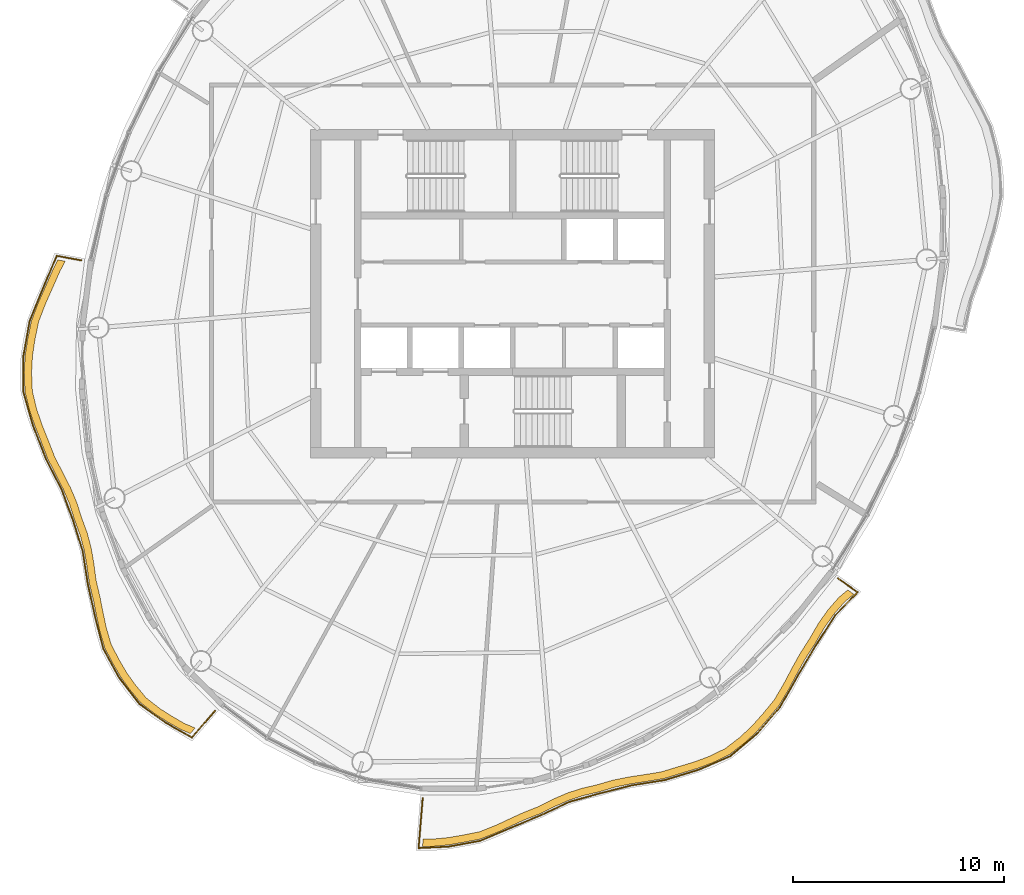
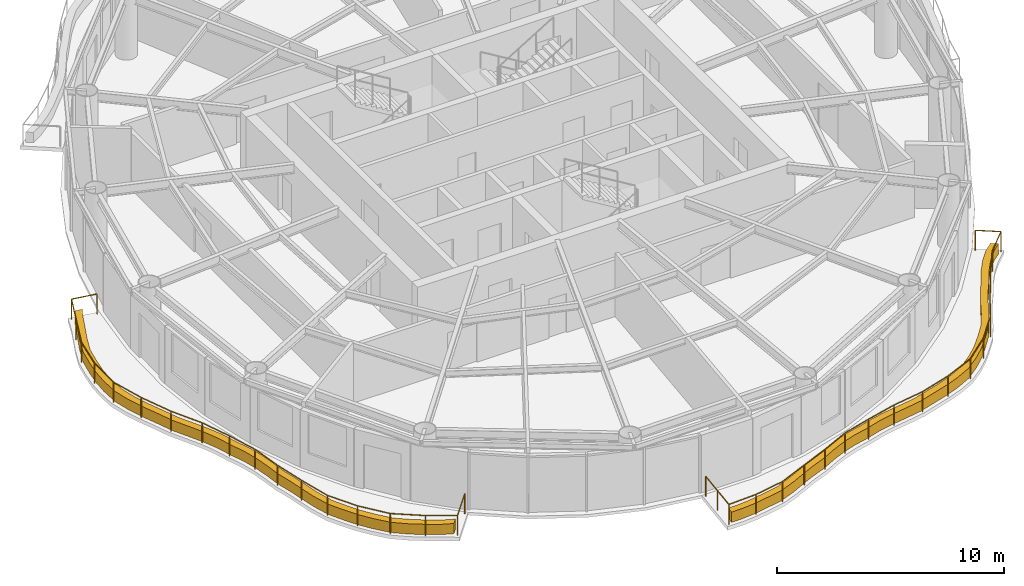
# One storey, part 11 of 13: 2 coverings, 2 railings.
"""IFC4 building model written with IfcOpenShell, lengths in metres."""

from ifc_helpers import new_model, si_unit, direction, frame, origin, origin_2d, place, context, subcontext, project, spatial, polyline, circle, outline, extrude, material, type_object, element, save


model = new_model("IFC4")

# Units and contexts
model_context = context("Model", 3, precision=1e-05, world=origin(), true_north=direction((0.0, 1.0)))
body_context = subcontext(model_context, "Body", "Model", "MODEL_VIEW")
ifc_project = project(units=[si_unit("LENGTHUNIT", "METRE"), si_unit("AREAUNIT", "SQUARE_METRE"), si_unit("VOLUMEUNIT", "CUBIC_METRE"), si_unit("PLANEANGLEUNIT", "RADIAN"), si_unit("MASSUNIT", "GRAM", prefix="KILO")], contexts=[model_context])

# Site, building, storey
site_placement = place(None, origin())
site = spatial("IfcSite", under=ifc_project, at=site_placement, CompositionType="ELEMENT")
building_placement = place(site_placement, origin())
building = spatial("IfcBuilding", under=site, at=building_placement, Name="Vermilion Reach Broadcast Tower", CompositionType="ELEMENT")
storey_placement = place(building_placement, frame((0.0, 0.0, 300.89990234375)))
storey = spatial("IfcBuildingStorey", under=building, at=storey_placement, Name="L75", CompositionType="ELEMENT", Elevation=300.89990234375)

# Coverings
ifc_material_1 = material(Name="Planting soil and greenery")
covering_type = type_object("IfcCoveringType", Name="Balcony PLANTER", PredefinedType="USERDEFINED", material=ifc_material_1)
placement = place(storey_placement, origin())
element("IfcCovering", 1, at=placement, inside=storey, type_object=covering_type, Name="PLANTER L75 group 2", ObjectType="PLANTER", PredefinedType="USERDEFINED", context=body_context, shape_type="SweptSolid", body=[
    extrude(outline(polyline([(-27.597412109375, 1.59814453125), (-27.86279296875, 1.0712890625), (-28.19140625, 0.320068359375), (-28.527099609375, -0.430419921875), (-28.858154296875, -1.303466796875), (-29.03955078125, -2.196533203125), (-29.156005859375, -2.96923828125), (-29.196533203125, -3.7431640625), (-29.160400390625, -4.65869140625), (-28.94873046875, -5.540771484375), (-28.6943359375, -6.277587890625), (-28.40185546875, -7.01025390625), (-28.08447265625, -7.842041015625), (-27.685546875, -8.615234375), (-27.341064453125, -9.296630859375), (-27.04638671875, -9.989501953125), (-26.7998046875, -10.76318359375), (-26.528564453125, -11.50537109375), (-26.344970703125, -12.207763671875), (-26.21875, -12.93115234375), (-26.10400390625, -13.762939453125), (-25.90771484375, -14.56640625), (-25.766357421875, -15.288330078125), (-25.61572265625, -16.00537109375), (-25.364501953125, -16.849853515625), (-24.96630859375, -17.60693359375), (-24.618408203125, -18.203369140625), (-24.221435546875, -18.763671875), (-23.669189453125, -19.431884765625), (-22.994140625, -19.96142578125), (-22.412841796875, -20.33203125), (-21.807861328125, -20.679443359375), (-21.307373046875, -20.898193359375), (-21.078125, -20.633544921875), (-21.55908203125, -20.433349609375), (-22.1640625, -20.0859375), (-22.745361328125, -19.71533203125), (-23.402587890625, -19.204833984375), (-23.938720703125, -18.55712890625), (-24.3359375, -17.996826171875), (-24.68359375, -17.400634765625), (-25.06787109375, -16.663818359375), (-25.306640625, -15.841064453125), (-25.457275390625, -15.1240234375), (-25.5986328125, -14.402099609375), (-25.784423828125, -13.619873046875), (-25.890380859375, -12.81005859375), (-26.0166015625, -12.086669921875), (-26.2001953125, -11.38427734375), (-26.46435546875, -10.663330078125), (-26.705078125, -9.911376953125), (-27.0, -9.218505859375), (-27.344482421875, -8.537109375), (-27.739013671875, -7.784912109375), (-28.0537109375, -6.97412109375), (-28.34619140625, -6.241455078125), (-28.6005859375, -5.5048828125), (-28.810791015625, -4.64306640625), (-28.8466796875, -3.748046875), (-28.805908203125, -2.97412109375), (-28.689697265625, -2.201171875), (-28.509033203125, -1.328125), (-28.179931640625, -0.474609375), (-27.84423828125, 0.27587890625), (-27.515625, 1.027099609375), (-27.253173828125, 1.534912109375), (-27.597412109375, 1.59814453125)])), origin(), (0.0, 0.0, 1.0), 0.550048828125),
])
element("IfcCovering", 2, at=placement, inside=storey, type_object=covering_type, Name="PLANTER L75 group 3", ObjectType="PLANTER", PredefinedType="USERDEFINED", context=body_context, shape_type="SweptSolid", body=[
    extrude(outline(polyline([(-10.279052734375, -26.257568359375), (-9.71728515625, -26.251220703125), (-9.04443359375, -26.187255859375), (-8.37158203125, -26.070556640625), (-7.54248046875, -25.912109375), (-6.737060546875, -25.596923828125), (-6.087158203125, -25.2919921875), (-5.436767578125, -24.992919921875), (-4.69091796875, -24.705078125), (-3.966796875, -24.34423828125), (-3.31591796875, -24.063232421875), (-2.64697265625, -23.8427734375), (-1.888671875, -23.66455078125), (-1.117919921875, -23.4365234375), (-0.392578125, -23.28857421875), (0.34814453125, -23.175537109375), (1.201416015625, -23.032958984375), (2.046142578125, -22.773681640625), (2.77978515625, -22.55224609375), (3.489013671875, -22.29150390625), (4.29345703125, -21.900634765625), (5.01318359375, -21.34765625), (5.569580078125, -20.828125), (6.0830078125, -20.254638671875), (6.6572265625, -19.562744140625), (7.129150390625, -18.76904296875), (7.508056640625, -18.0537109375), (7.897705078125, -17.349365234375), (8.364501953125, -16.625), (8.800537109375, -15.87939453125), (9.25439453125, -15.235107421875), (9.7724609375, -14.6416015625), (10.2060546875, -14.27978515625), (9.920166015625, -14.077880859375), (9.498046875, -14.424560546875), (8.97998046875, -15.01806640625), (8.526123046875, -15.662109375), (8.1025390625, -16.392822265625), (7.6494140625, -17.102783203125), (7.259521484375, -17.80712890625), (6.880859375, -18.5224609375), (6.423828125, -19.302001953125), (5.865234375, -19.980712890625), (5.351806640625, -20.55419921875), (4.795166015625, -21.07373046875), (4.092529296875, -21.614013671875), (3.30615234375, -21.992919921875), (2.596923828125, -22.25390625), (1.86328125, -22.47509765625), (1.0380859375, -22.723388671875), (0.205078125, -22.856201171875), (-0.535888671875, -22.96923828125), (-1.26123046875, -23.1171875), (-2.010009765625, -23.336181640625), (-2.745849609375, -23.5068359375), (-3.41455078125, -23.727294921875), (-4.0654296875, -24.008544921875), (-4.765625, -24.36328125), (-5.48681640625, -24.646484375), (-6.137451171875, -24.945556640625), (-6.787109375, -25.25048828125), (-7.566650390625, -25.56298828125), (-8.36962890625, -25.720458984375), (-9.042724609375, -25.83740234375), (-9.71533203125, -25.901123046875), (-10.250244140625, -25.90869140625), (-10.279052734375, -26.257568359375)])), origin(), (0.0, 0.0, 1.0), 0.550048828125),
])

# Railings
ifc_material_2 = material(Name="Stainless steel 316 balustrade", Category="steel")
railing_type = type_object("IfcRailingType", Name="Balcony guard 1100", PredefinedType="BALUSTRADE", material=ifc_material_2)
railing_1_placement = place(storey_placement, frame((-26.48046875, 1.575927734375, 0.0)))
element("IfcRailing", 3, at=railing_1_placement, inside=storey, type_object=railing_type, Name="Balcony guard L75 group 2", PredefinedType="BALUSTRADE", context=body_context, shape_type="SweptSolid", body=[
    extrude(circle(Radius=0.02490234375, at=origin_2d()), frame((0.0, 0.0, 1.0751953125), z_axis=(-0.983560526768, 0.18057876449, 0.0), x_axis=(-0.18057876449, -0.983560526768, 0.0)), (0.0, 0.0, 1.0), 1.1923828125),
    extrude(circle(Radius=0.02490234375, at=origin_2d()), frame((-1.1728515625, 0.21533203125, 1.0751953125), z_axis=(-0.389233265027, -0.921139221506, 0.0), x_axis=(0.921139221506, -0.389233265027, 0.0)), (0.0, 0.0, 1.0), 1.586181640625),
    extrude(circle(Radius=0.02490234375, at=origin_2d()), frame((-1.790283203125, -1.245849609375, 1.0751953125), z_axis=(-0.379248737591, -0.925294761163, 0.0), x_axis=(0.925294761163, -0.379248737591, 0.0)), (0.0, 0.0, 1.0), 1.75927734375),
    extrude(circle(Radius=0.02490234375, at=origin_2d()), frame((-2.45751953125, -2.873779296875, 1.0751953125), z_axis=(-0.175541632591, -0.984472008351, 0.0), x_axis=(0.984472008351, -0.175541632591, 0.0)), (0.0, 0.0, 1.0), 1.69677734375),
    extrude(circle(Radius=0.02490234375, at=origin_2d()), frame((-2.75537109375, -4.544189453125, 1.0751953125), z_axis=(-0.002738531097, -0.999996250217, 0.0), x_axis=(0.999996250217, -0.002738531097, 0.0)), (0.0, 0.0, 1.0), 1.69384765625),
    extrude(circle(Radius=0.02490234375, at=origin_2d()), frame((-2.760009765625, -6.238037109375, 1.0751953125), z_axis=(0.276190616692, -0.961102878599, 0.0), x_axis=(0.961102878599, 0.276190616692, 0.0)), (0.0, 0.0, 1.0), 1.689208984375),
    extrude(circle(Radius=0.02490234375, at=origin_2d()), frame((-2.29345703125, -7.861572265625, 1.0751953125), z_axis=(0.362551191492, -0.931963858499, 0.0), x_axis=(0.931963858499, 0.362551191492, 0.0)), (0.0, 0.0, 1.0), 1.68408203125),
    extrude(circle(Radius=0.02490234375, at=origin_2d()), frame((-1.682861328125, -9.43115234375, 1.0751953125), z_axis=(0.454294146474, -0.890851743266, 0.0), x_axis=(0.890851743266, 0.454294146474, 0.0)), (0.0, 0.0, 1.0), 1.637939453125),
    extrude(circle(Radius=0.02490234375, at=origin_2d()), frame((-0.938720703125, -10.890380859375, 1.0751953125), z_axis=(0.34605160331, -0.938215480498, 0.0), x_axis=(0.938215480498, 0.34605160331, 0.0)), (0.0, 0.0, 1.0), 1.568359375),
    extrude(circle(Radius=0.02490234375, at=origin_2d()), frame((-0.39599609375, -12.36181640625, 1.0751953125), z_axis=(0.300277754384, -0.953851807265, 0.0), x_axis=(0.953851807265, 0.300277754384, 0.0)), (0.0, 0.0, 1.0), 1.51953125),
    extrude(circle(Radius=0.02490234375, at=origin_2d()), frame((0.060302734375, -13.811279296875, 1.0751953125), z_axis=(0.153985421265, -0.988073119783, 0.0), x_axis=(0.988073119783, 0.153985421265, 0.0)), (0.0, 0.0, 1.0), 1.5791015625),
    extrude(circle(Radius=0.02490234375, at=origin_2d()), frame((0.303466796875, -15.37158203125, 1.0751953125), z_axis=(0.216946947991, -0.976183395555, 0.0), x_axis=(0.976183395555, 0.216946947991, 0.0)), (0.0, 0.0, 1.0), 1.567626953125),
    extrude(circle(Radius=0.02490234375, at=origin_2d()), frame((0.6435546875, -16.90185546875, 1.0751953125), z_axis=(0.250197478502, -0.96819482634, 0.0), x_axis=(0.96819482634, 0.250197478502, 0.0)), (0.0, 0.0, 1.0), 1.617919921875),
    extrude(circle(Radius=0.02490234375, at=origin_2d()), frame((1.04833984375, -18.46826171875, 1.0751953125), z_axis=(0.482927532851, -0.875660321137, 0.0), x_axis=(0.875660321137, 0.482927532851, 0.0)), (0.0, 0.0, 1.0), 1.551025390625),
    extrude(circle(Radius=0.02490234375, at=origin_2d()), frame((1.79736328125, -19.826416015625, 1.0751953125), z_axis=(0.61146533149, -0.791271223024, 0.0), x_axis=(0.791271223024, 0.61146533149, 0.0)), (0.0, 0.0, 1.0), 1.558837890625),
    extrude(circle(Radius=0.02490234375, at=origin_2d()), frame((2.75048828125, -21.059814453125, 1.0751953125), z_axis=(0.81245560945, -0.583023055009, 0.0), x_axis=(0.583023055009, 0.81245560945, 0.0)), (0.0, 0.0, 1.0), 1.551513671875),
    extrude(circle(Radius=0.02490234375, at=origin_2d()), frame((4.010986328125, -21.96435546875, 1.0751953125), z_axis=(0.870770886559, -0.491688990238, 0.0), x_axis=(0.491688990238, 0.870770886559, 0.0)), (0.0, 0.0, 1.0), 1.420166015625),
    extrude(circle(Radius=0.02490234375, at=origin_2d()), frame((5.24755859375, -22.66259765625, 1.0751953125), z_axis=(0.654416632407, 0.756134162189, 0.0), x_axis=(-0.756134162189, 0.654416632407, 0.0)), (0.0, 0.0, 1.0), 1.6826171875),
    extrude(circle(Radius=0.02490234375, at=origin_2d()), origin(), (0.0, 0.0, 1.0), 1.050048828125),
    extrude(circle(Radius=0.02490234375, at=origin_2d()), frame((-1.1728515625, 0.21533203125, 0.0)), (0.0, 0.0, 1.0), 1.050048828125),
    extrude(circle(Radius=0.02490234375, at=origin_2d()), frame((-1.790283203125, -1.245849609375, 0.0)), (0.0, 0.0, 1.0), 1.050048828125),
    extrude(circle(Radius=0.02490234375, at=origin_2d()), frame((-2.45751953125, -2.873779296875, 0.0)), (0.0, 0.0, 1.0), 1.050048828125),
    extrude(circle(Radius=0.02490234375, at=origin_2d()), frame((-2.75537109375, -4.544189453125, 0.0)), (0.0, 0.0, 1.0), 1.050048828125),
    extrude(circle(Radius=0.02490234375, at=origin_2d()), frame((-2.760009765625, -6.238037109375, 0.0)), (0.0, 0.0, 1.0), 1.050048828125),
    extrude(circle(Radius=0.02490234375, at=origin_2d()), frame((-2.29345703125, -7.861572265625, 0.0)), (0.0, 0.0, 1.0), 1.050048828125),
    extrude(circle(Radius=0.02490234375, at=origin_2d()), frame((-1.682861328125, -9.43115234375, 0.0)), (0.0, 0.0, 1.0), 1.050048828125),
    extrude(circle(Radius=0.02490234375, at=origin_2d()), frame((-0.938720703125, -10.890380859375, 0.0)), (0.0, 0.0, 1.0), 1.050048828125),
    extrude(circle(Radius=0.02490234375, at=origin_2d()), frame((-0.39599609375, -12.36181640625, 0.0)), (0.0, 0.0, 1.0), 1.050048828125),
    extrude(circle(Radius=0.02490234375, at=origin_2d()), frame((0.060302734375, -13.811279296875, 0.0)), (0.0, 0.0, 1.0), 1.050048828125),
    extrude(circle(Radius=0.02490234375, at=origin_2d()), frame((0.303466796875, -15.37158203125, 0.0)), (0.0, 0.0, 1.0), 1.050048828125),
    extrude(circle(Radius=0.02490234375, at=origin_2d()), frame((0.6435546875, -16.90185546875, 0.0)), (0.0, 0.0, 1.0), 1.050048828125),
    extrude(circle(Radius=0.02490234375, at=origin_2d()), frame((1.04833984375, -18.46826171875, 0.0)), (0.0, 0.0, 1.0), 1.050048828125),
    extrude(circle(Radius=0.02490234375, at=origin_2d()), frame((1.79736328125, -19.826416015625, 0.0)), (0.0, 0.0, 1.0), 1.050048828125),
    extrude(circle(Radius=0.02490234375, at=origin_2d()), frame((2.75048828125, -21.059814453125, 0.0)), (0.0, 0.0, 1.0), 1.050048828125),
    extrude(circle(Radius=0.02490234375, at=origin_2d()), frame((4.010986328125, -21.96435546875, 0.0)), (0.0, 0.0, 1.0), 1.050048828125),
    extrude(circle(Radius=0.02490234375, at=origin_2d()), frame((5.24755859375, -22.66259765625, 0.0)), (0.0, 0.0, 1.0), 1.050048828125),
    extrude(circle(Radius=0.02490234375, at=origin_2d()), frame((6.3486328125, -21.390380859375, 0.0)), (0.0, 0.0, 1.0), 1.050048828125),
])
railing_2_placement = place(storey_placement, frame((-10.269287109375, -23.960205078125, 0.0)))
element("IfcRailing", 4, at=railing_2_placement, inside=storey, type_object=railing_type, Name="Balcony guard L75 group 3", PredefinedType="BALUSTRADE", context=body_context, shape_type="SweptSolid", body=[
    extrude(circle(Radius=0.02490234375, at=origin_2d()), frame((0.0, 0.0, 1.0751953125), z_axis=(-0.082426865149, -0.996597116142, 0.0), x_axis=(0.996597116142, -0.082426865149, 0.0)), (0.0, 0.0, 1.0), 2.38427734375),
    extrude(circle(Radius=0.02490234375, at=origin_2d()), frame((-0.196533203125, -2.376220703125, 1.0751953125), z_axis=(0.998819876131, 0.048568045523, 0.0), x_axis=(-0.048568045523, 0.998819876131, 0.0)), (0.0, 0.0, 1.0), 1.422607421875),
    extrude(circle(Radius=0.02490234375, at=origin_2d()), frame((1.224365234375, -2.30712890625, 1.0751953125), z_axis=(0.983726880129, 0.179670323961, 0.0), x_axis=(-0.179670323961, 0.983726880129, 0.0)), (0.0, 0.0, 1.0), 1.53271484375),
    extrude(circle(Radius=0.02490234375, at=origin_2d()), frame((2.732177734375, -2.03173828125, 1.0751953125), z_axis=(0.92036551303, 0.391059231351, 0.0), x_axis=(-0.391059231351, 0.92036551303, 0.0)), (0.0, 0.0, 1.0), 1.587646484375),
    extrude(circle(Radius=0.02490234375, at=origin_2d()), frame((4.193359375, -1.410888671875, 1.0751953125), z_axis=(0.922214701824, 0.386678217307, 0.0), x_axis=(-0.386678217307, 0.922214701824, 0.0)), (0.0, 0.0, 1.0), 1.520263671875),
    extrude(circle(Radius=0.02490234375, at=origin_2d()), frame((5.595458984375, -0.822998046875, 1.0751953125), z_axis=(0.906428683995, 0.4223589005, 0.0), x_axis=(-0.4223589005, 0.906428683995, 0.0)), (0.0, 0.0, 1.0), 1.523193359375),
    extrude(circle(Radius=0.02490234375, at=origin_2d()), frame((6.97607421875, -0.1796875, 1.0751953125), z_axis=(0.963081562434, 0.269209777125, 0.0), x_axis=(-0.269209777125, 0.963081562434, 0.0)), (0.0, 0.0, 1.0), 1.4873046875),
    extrude(circle(Radius=0.02490234375, at=origin_2d()), frame((8.408447265625, 0.220703125, 1.0751953125), z_axis=(0.969732879716, 0.244168265745, 0.0), x_axis=(-0.244168265745, 0.969732879716, 0.0)), (0.0, 0.0, 1.0), 1.5478515625),
    extrude(circle(Radius=0.02490234375, at=origin_2d()), frame((9.909423828125, 0.5986328125, 1.0751953125), z_axis=(0.987244178752, 0.15921347782, 0.0), x_axis=(-0.15921347782, 0.987244178752, 0.0)), (0.0, 0.0, 1.0), 1.619384765625),
    extrude(circle(Radius=0.02490234375, at=origin_2d()), frame((11.508056640625, 0.8564453125, 1.0751953125), z_axis=(0.956389354672, 0.292094851496, 0.0), x_axis=(-0.292094851496, 0.956389354672, 0.0)), (0.0, 0.0, 1.0), 1.655029296875),
    extrude(circle(Radius=0.02490234375, at=origin_2d()), frame((13.0908203125, 1.33984375, 1.0751953125), z_axis=(0.918363890456, 0.395736989309, 0.0), x_axis=(-0.395736989309, 0.918363890456, 0.0)), (0.0, 0.0, 1.0), 1.65283203125),
    extrude(circle(Radius=0.02490234375, at=origin_2d()), frame((14.608642578125, 1.993896484375, 1.0751953125), z_axis=(0.765641571764, 0.643267427736, 0.0), x_axis=(-0.643267427736, 0.765641571764, 0.0)), (0.0, 0.0, 1.0), 1.671875),
    extrude(circle(Radius=0.02490234375, at=origin_2d()), frame((15.888671875, 3.0693359375, 1.0751953125), z_axis=(0.652160030746, 0.75808132433, 0.0), x_axis=(-0.75808132433, 0.652160030746, 0.0)), (0.0, 0.0, 1.0), 1.67333984375),
    extrude(circle(Radius=0.02490234375, at=origin_2d()), frame((16.97998046875, 4.337890625, 1.0751953125), z_axis=(0.491742232817, 0.870740820488, 0.0), x_axis=(-0.870740820488, 0.491742232817, 0.0)), (0.0, 0.0, 1.0), 1.736572265625),
    extrude(circle(Radius=0.02490234375, at=origin_2d()), frame((17.833984375, 5.85009765625, 1.0751953125), z_axis=(0.514646211257, 0.857402634262, 0.0), x_axis=(-0.857402634262, 0.514646211257, 0.0)), (0.0, 0.0, 1.0), 1.67041015625),
    extrude(circle(Radius=0.02490234375, at=origin_2d()), frame((18.693603515625, 7.2822265625, 1.0751953125), z_axis=(0.53959371239, 0.841925546322, 0.0), x_axis=(-0.841925546322, 0.53959371239, 0.0)), (0.0, 0.0, 1.0), 1.654541015625),
    extrude(circle(Radius=0.02490234375, at=origin_2d()), frame((19.58642578125, 8.67529296875, 1.0751953125), z_axis=(0.695864570296, 0.718173029156, 0.0), x_axis=(-0.718173029156, 0.695864570296, 0.0)), (0.0, 0.0, 1.0), 1.5322265625),
    extrude(circle(Radius=0.02490234375, at=origin_2d()), frame((20.652587890625, 9.775634765625, 1.0751953125), z_axis=(-0.817176345021, 0.57638773507, 0.0), x_axis=(-0.57638773507, -0.817176345021, 0.0)), (0.0, 0.0, 1.0), 1.135498046875),
    extrude(circle(Radius=0.02490234375, at=origin_2d()), origin(), (0.0, 0.0, 1.0), 1.050048828125),
    extrude(circle(Radius=0.02490234375, at=origin_2d()), frame((-0.09814453125, -1.18798828125, 0.0)), (0.0, 0.0, 1.0), 1.050048828125),
    extrude(circle(Radius=0.02490234375, at=origin_2d()), frame((-0.196533203125, -2.376220703125, 0.0)), (0.0, 0.0, 1.0), 1.050048828125),
    extrude(circle(Radius=0.02490234375, at=origin_2d()), frame((1.224365234375, -2.30712890625, 0.0)), (0.0, 0.0, 1.0), 1.050048828125),
    extrude(circle(Radius=0.02490234375, at=origin_2d()), frame((2.732177734375, -2.03173828125, 0.0)), (0.0, 0.0, 1.0), 1.050048828125),
    extrude(circle(Radius=0.02490234375, at=origin_2d()), frame((4.193359375, -1.410888671875, 0.0)), (0.0, 0.0, 1.0), 1.050048828125),
    extrude(circle(Radius=0.02490234375, at=origin_2d()), frame((5.595458984375, -0.822998046875, 0.0)), (0.0, 0.0, 1.0), 1.050048828125),
    extrude(circle(Radius=0.02490234375, at=origin_2d()), frame((6.97607421875, -0.1796875, 0.0)), (0.0, 0.0, 1.0), 1.050048828125),
    extrude(circle(Radius=0.02490234375, at=origin_2d()), frame((8.408447265625, 0.220703125, 0.0)), (0.0, 0.0, 1.0), 1.050048828125),
    extrude(circle(Radius=0.02490234375, at=origin_2d()), frame((9.909423828125, 0.5986328125, 0.0)), (0.0, 0.0, 1.0), 1.050048828125),
    extrude(circle(Radius=0.02490234375, at=origin_2d()), frame((11.508056640625, 0.8564453125, 0.0)), (0.0, 0.0, 1.0), 1.050048828125),
    extrude(circle(Radius=0.02490234375, at=origin_2d()), frame((13.0908203125, 1.33984375, 0.0)), (0.0, 0.0, 1.0), 1.050048828125),
    extrude(circle(Radius=0.02490234375, at=origin_2d()), frame((14.608642578125, 1.993896484375, 0.0)), (0.0, 0.0, 1.0), 1.050048828125),
    extrude(circle(Radius=0.02490234375, at=origin_2d()), frame((15.888671875, 3.0693359375, 0.0)), (0.0, 0.0, 1.0), 1.050048828125),
    extrude(circle(Radius=0.02490234375, at=origin_2d()), frame((16.97998046875, 4.337890625, 0.0)), (0.0, 0.0, 1.0), 1.050048828125),
    extrude(circle(Radius=0.02490234375, at=origin_2d()), frame((17.833984375, 5.85009765625, 0.0)), (0.0, 0.0, 1.0), 1.050048828125),
    extrude(circle(Radius=0.02490234375, at=origin_2d()), frame((18.693603515625, 7.2822265625, 0.0)), (0.0, 0.0, 1.0), 1.050048828125),
    extrude(circle(Radius=0.02490234375, at=origin_2d()), frame((19.58642578125, 8.67529296875, 0.0)), (0.0, 0.0, 1.0), 1.050048828125),
    extrude(circle(Radius=0.02490234375, at=origin_2d()), frame((20.652587890625, 9.775634765625, 0.0)), (0.0, 0.0, 1.0), 1.050048828125),
    extrude(circle(Radius=0.02490234375, at=origin_2d()), frame((19.724609375, 10.43017578125, 0.0)), (0.0, 0.0, 1.0), 1.050048828125),
])

save(model, "model.ifc")
